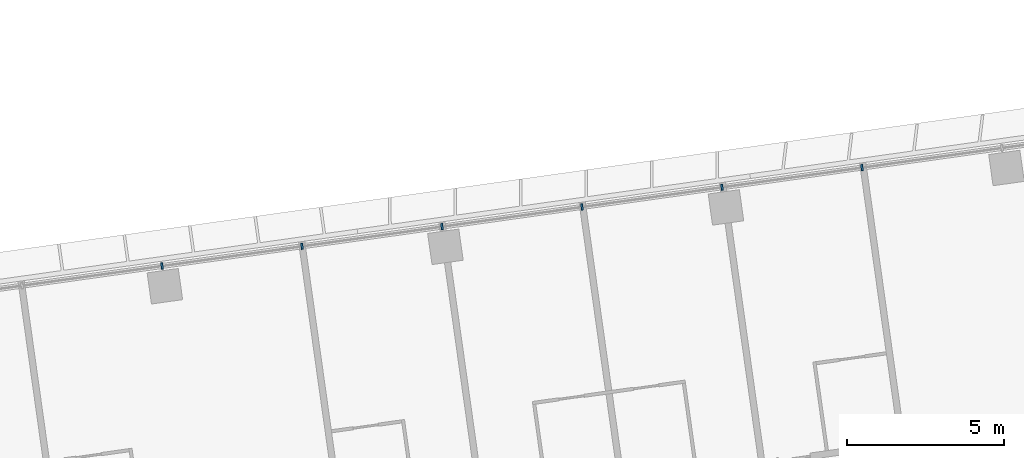
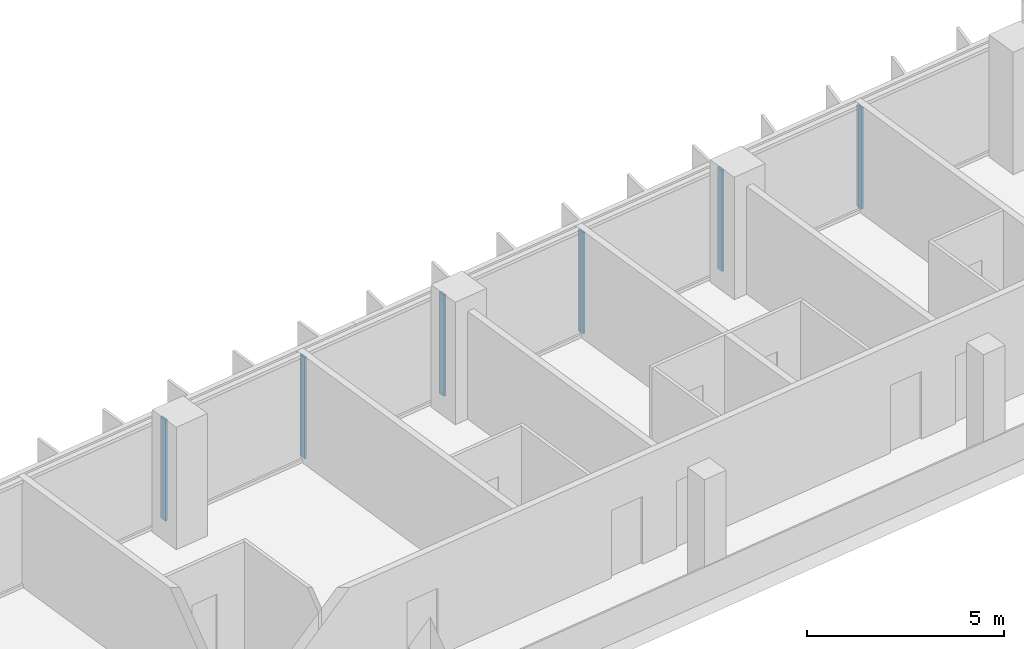
# One storey, part 10 of 25: 6 members, 1 element without a shape of its own.
"""IFC4 building model written with IfcOpenShell, lengths in metres."""

from ifc_helpers import new_model, si_unit, direction, frame, origin, origin_2d, place, context, subcontext, project, spatial, rectangle, extrude, material, material_profile, profile_set, type_object, element, aggregate, save


model = new_model("IFC4")

# Units and contexts
model_context = context("Model", 3, precision=1e-05, world=origin(), true_north=direction((0.0, 1.0)))
body_context = subcontext(model_context, "Body", "Model", "MODEL_VIEW")
ifc_project = project(units=[si_unit("LENGTHUNIT", "METRE"), si_unit("AREAUNIT", "SQUARE_METRE"), si_unit("VOLUMEUNIT", "CUBIC_METRE"), si_unit("PLANEANGLEUNIT", "RADIAN"), si_unit("MASSUNIT", "GRAM", prefix="KILO")], contexts=[model_context])

# Site, building, storey
site_placement = place(None, origin())
site = spatial("IfcSite", under=ifc_project, at=site_placement, CompositionType="ELEMENT")
building_placement = place(site_placement, origin())
building = spatial("IfcBuilding", under=site, at=building_placement, Name="Mirante Cascada Hotel Towers", CompositionType="ELEMENT")
storey_placement = place(building_placement, frame((0.0, 0.0, 73.7)))
storey = spatial("IfcBuildingStorey", under=building, at=storey_placement, Name="L15", CompositionType="ELEMENT", Elevation=73.7)

# Curtain wall, members
ifc_material_1 = material(Name="Aluminium mullion and transom frame with clear laminated glass", Category="aluminium")
curtain_wall_type = type_object("IfcCurtainWallType", Name="Ribbon curtain wall ECW1", PredefinedType="NOTDEFINED", material=ifc_material_1)
curtain_wall_placement = place(storey_placement, origin())
curtain_wall = element("IfcCurtainWall", 1, at=curtain_wall_placement, inside=storey, type_object=curtain_wall_type, Name="Front ribbon wall T2 L15", PredefinedType="NOTDEFINED")
ifc_material_2 = material(Name="Anodised aluminium extrusion", Category="aluminium")
ifc_material_profile = material_profile(ifc_material_2, rectangle(XDim=0.2, YDim=0.065, at=origin_2d()), Name="ECW1 MULLION 65x200")
ifc_profile_set = profile_set([ifc_material_profile], Name="Anodised aluminium extrusion")
member_type = type_object("IfcMemberType", Name="ECW1 mullion 65x200", PredefinedType="MULLION", material=ifc_profile_set)
member_1_placement = place(storey_placement, frame((85.2633, 24.802, 0.1), z_axis=(0.0, 0.0, 1.0), x_axis=(0.1391731, -0.9902681, 0.0)))
member_1 = element("IfcMember", 2, at=member_1_placement, type_object=member_type, Name="ECW1 mullion 3", PredefinedType="MULLION", context=body_context, shape_type="SweptSolid", body=[
    extrude(rectangle(XDim=0.2, YDim=0.065, at=origin_2d()), origin(), (0.0, 0.0, 1.0), 3.15),
])
member_2_placement = place(storey_placement, frame((80.8159, 24.177, 0.1), z_axis=(0.0, 0.0, 1.0), x_axis=(0.1391731, -0.9902681, 0.0)))
member_2 = element("IfcMember", 3, at=member_2_placement, type_object=member_type, Name="ECW1 mullion 4", PredefinedType="MULLION", context=body_context, shape_type="SweptSolid", body=[
    extrude(rectangle(XDim=0.2, YDim=0.065, at=origin_2d()), origin(), (0.0, 0.0, 1.0), 3.15),
])
member_3_placement = place(storey_placement, frame((76.3685, 23.5519, 0.1), z_axis=(0.0, 0.0, 1.0), x_axis=(0.1391731, -0.9902681, 0.0)))
member_3 = element("IfcMember", 4, at=member_3_placement, type_object=member_type, Name="ECW1 mullion 5", PredefinedType="MULLION", context=body_context, shape_type="SweptSolid", body=[
    extrude(rectangle(XDim=0.2, YDim=0.065, at=origin_2d()), origin(), (0.0, 0.0, 1.0), 3.15),
])
member_4_placement = place(storey_placement, frame((71.9211, 22.9269, 0.1), z_axis=(0.0, 0.0, 1.0), x_axis=(0.1391731, -0.9902681, 0.0)))
member_4 = element("IfcMember", 5, at=member_4_placement, type_object=member_type, Name="ECW1 mullion 6", PredefinedType="MULLION", context=body_context, shape_type="SweptSolid", body=[
    extrude(rectangle(XDim=0.2, YDim=0.065, at=origin_2d()), origin(), (0.0, 0.0, 1.0), 3.15),
])
member_5_placement = place(storey_placement, frame((67.4737, 22.3018, 0.1), z_axis=(0.0, 0.0, 1.0), x_axis=(0.1391731, -0.9902681, 0.0)))
member_5 = element("IfcMember", 6, at=member_5_placement, type_object=member_type, Name="ECW1 mullion 7", PredefinedType="MULLION", context=body_context, shape_type="SweptSolid", body=[
    extrude(rectangle(XDim=0.2, YDim=0.065, at=origin_2d()), origin(), (0.0, 0.0, 1.0), 3.15),
])
member_6_placement = place(storey_placement, frame((63.0262, 21.6768, 0.1), z_axis=(0.0, 0.0, 1.0), x_axis=(0.1391731, -0.9902681, 0.0)))
member_6 = element("IfcMember", 7, at=member_6_placement, type_object=member_type, Name="ECW1 mullion 8", PredefinedType="MULLION", context=body_context, shape_type="SweptSolid", body=[
    extrude(rectangle(XDim=0.2, YDim=0.065, at=origin_2d()), origin(), (0.0, 0.0, 1.0), 3.15),
])
aggregate(curtain_wall, [member_1, member_2, member_3, member_4, member_5, member_6])

save(model, "model.ifc")
